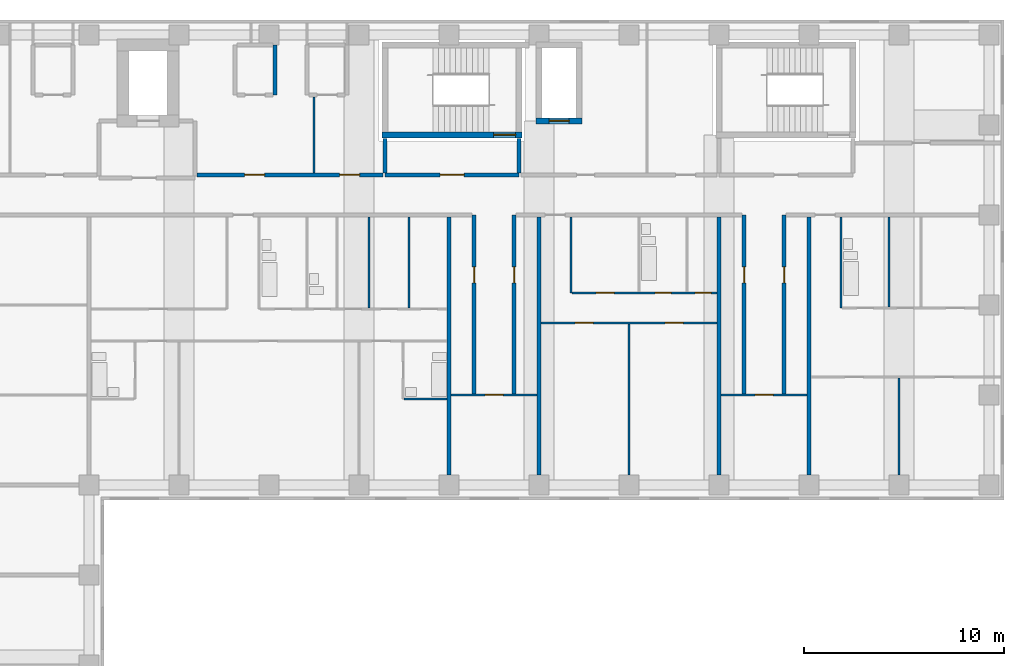
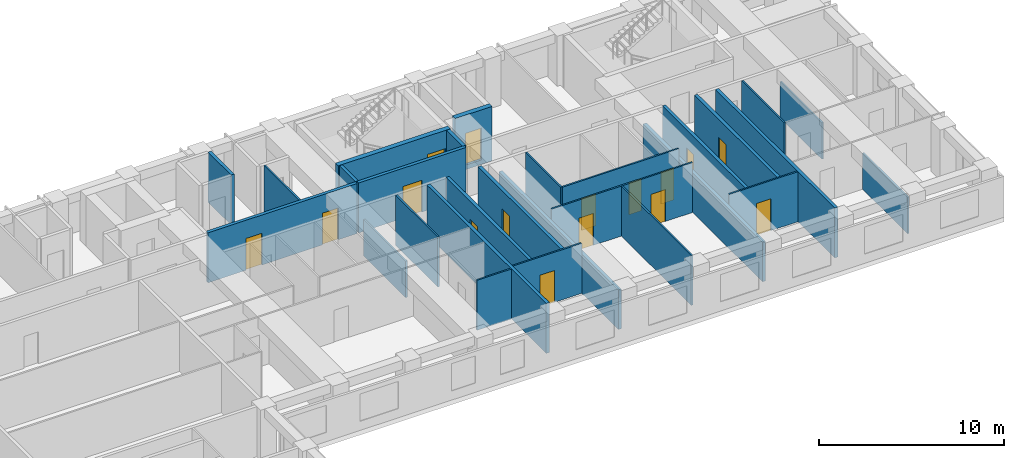
# One storey, part 7 of 12: 28 walls, 16 doors, 16 openings.
"""IFC4 building model written with IfcOpenShell, lengths in metres."""

from ifc_helpers import new_model, si_unit, direction, frame, frame_2d, origin, place, context, subcontext, project, spatial, rectangle, extrude, material, layer, layer_set, type_object, element, fill, save


model = new_model("IFC4")

# Units and contexts
model_context = context("Model", 3, precision=1e-05, world=origin(), true_north=direction((0.0, 1.0)))
body_context = subcontext(model_context, "Body", "Model", "MODEL_VIEW")
ifc_project = project(units=[si_unit("LENGTHUNIT", "METRE"), si_unit("AREAUNIT", "SQUARE_METRE"), si_unit("VOLUMEUNIT", "CUBIC_METRE"), si_unit("PLANEANGLEUNIT", "RADIAN"), si_unit("MASSUNIT", "GRAM", prefix="KILO")], contexts=[model_context])

# Site, building, storey
site_placement = place(None, origin())
site = spatial("IfcSite", under=ifc_project, at=site_placement, CompositionType="ELEMENT")
building_placement = place(site_placement, origin())
building = spatial("IfcBuilding", under=site, at=building_placement, Name="Firuza Court", CompositionType="ELEMENT")
storey_placement = place(building_placement, frame((0.0, 0.0, 166.39990234375)))
storey = spatial("IfcBuildingStorey", under=building, at=storey_placement, Name="L42", CompositionType="ELEMENT", Elevation=166.39990234375)

# Walls
ifc_material_1 = material(Name="Moisture-resistant gypsum board partition")
ifc_layer_1 = layer(ifc_material_1, 0.10009765625)
ifc_layer_set_1 = layer_set([ifc_layer_1], Name="Moisture-resistant gypsum board partition")
wall_type_1 = type_object("IfcWallType", Name="Bathroom partition 100", PredefinedType="PLUMBINGWALL", material=ifc_layer_set_1)
wall_1_placement = place(storey_placement, frame((38.25, 40.300048828125, 0.0), z_axis=(0.0, 0.0, 1.0), x_axis=(1.0, 0.0, 0.0)))
element("IfcWall", 1, at=wall_1_placement, inside=storey, type_object=wall_type_1, Name="Bathroom partition 100 L42", PredefinedType="PLUMBINGWALL", context=body_context, shape_type="SweptSolid", body=[
    extrude(rectangle(XDim=2.14990234375, YDim=0.10009765625, at=frame_2d((1.074951171875, 0.0))), origin(), (0.0, 0.0, 1.0), 3.300048828125),
])
wall_2_placement = place(storey_placement, frame((60.10009765625, 44.85009765625, 0.0), z_axis=(0.0, 0.0, 1.0), x_axis=(0.0, 1.0, 0.0)))
element("IfcWall", 2, at=wall_2_placement, inside=storey, type_object=wall_type_1, Name="Bathroom partition 100 L42", PredefinedType="PLUMBINGWALL", context=body_context, shape_type="SweptSolid", body=[
    extrude(rectangle(XDim=4.5498046875, YDim=0.10009765625, at=frame_2d((2.27490234375, 0.0))), origin(), (0.0, 0.0, 1.0), 3.300048828125),
])
wall_3_placement = place(storey_placement, frame((62.5, 44.89990234375, 0.0), z_axis=(0.0, 0.0, 1.0), x_axis=(0.0, 1.0, 0.0)))
element("IfcWall", 3, at=wall_3_placement, inside=storey, type_object=wall_type_1, Name="Bathroom partition 100 L42", PredefinedType="PLUMBINGWALL", context=body_context, shape_type="SweptSolid", body=[
    extrude(rectangle(XDim=4.5, YDim=0.10009765625, at=frame_2d((2.25, 0.0))), origin(), (0.0, 0.0, 1.0), 2.400146484375),
])

# Wall, opening, door
ifc_material_2 = material(Name="Concrete C60/75", Category="concrete")
ifc_layer_2 = layer(ifc_material_2, 0.300048828125)
ifc_layer_set_2 = layer_set([ifc_layer_2], Name="Concrete C60/75")
wall_type_2 = type_object("IfcWallType", Name="Core wall 300 C60/75", PredefinedType="SHEAR", material=ifc_layer_set_2)
wall_4_placement = place(storey_placement, frame((37.14990234375, 53.5, -0.2998046875), z_axis=(0.0, 0.0, 1.0), x_axis=(1.0, 0.0, 0.0)))
wall_4 = element("IfcWall", 4, at=wall_4_placement, inside=storey, type_object=wall_type_2, Name="Core wall stair L42", PredefinedType="SHEAR", context=body_context, shape_type="SweptSolid", body=[
    extrude(rectangle(XDim=7.0, YDim=0.300048828125, at=frame_2d((3.5, 0.0))), origin(), (0.0, 0.0, 1.0), 3.599853515625),
])
opening_1_placement = place(wall_4_placement, frame((5.580078125, 0.0, 0.300048828125)))
opening_1 = element("IfcOpeningElement", 5, at=opening_1_placement, cuts=wall_4, Name="Opening D42012", PredefinedType="OPENING", context=body_context, shape_type="SweptSolid", body=[
    extrude(rectangle(XDim=1.10009765625, YDim=2.10009765625, at=frame_2d((0.550048828125, 1.050048828125))), frame((0.0, 0.162109375, 0.0), z_axis=(0.0, -1.0, 0.0), x_axis=(1.0, 0.0, 0.0)), (0.0, 0.0, 1.0), 0.323974609375),
])
ifc_material_3 = material(Name="Timber door leaf in hardwood frame", Category="wood")
door_type_1 = type_object("IfcDoorType", Name="Stair door 1100", OperationType="SINGLE_SWING_LEFT", PredefinedType="DOOR", material=ifc_material_3)
door_1_placement = place(opening_1_placement, origin())
door_1 = element("IfcDoor", 6, at=door_1_placement, inside=storey, type_object=door_type_1, Name="Stair door S1", OperationType="SINGLE_SWING_RIGHT", OverallHeight=2.10009765625, OverallWidth=1.10009765625, PredefinedType="DOOR", context=body_context, shape_type="SweptSolid", body=[
    extrude(rectangle(XDim=1.10009765625, YDim=2.10009765625, at=frame_2d((0.550048828125, 1.050048828125))), frame((0.0, 0.02490234375, 0.0), z_axis=(0.0, -1.0, 0.0), x_axis=(1.0, 0.0, 0.0)), (0.0, 0.0, 1.0), 0.050048828125),
])
fill(opening_1, door_1)

wall_5_placement = place(storey_placement, frame((44.85009765625, 54.199951171875, -0.2998046875), z_axis=(0.0, 0.0, 1.0), x_axis=(1.0, 0.0, 0.0)))
wall_5 = element("IfcWall", 7, at=wall_5_placement, inside=storey, type_object=wall_type_2, Name="Core wall riser L42", PredefinedType="SHEAR", context=body_context, shape_type="SweptSolid", body=[
    extrude(rectangle(XDim=2.2998046875, YDim=0.300048828125, at=frame_2d((1.14990234375, 0.0))), origin(), (0.0, 0.0, 1.0), 3.599853515625),
])
opening_2_placement = place(wall_5_placement, frame((0.64990234375, 0.0, 0.300048828125)))
opening_2 = element("IfcOpeningElement", 8, at=opening_2_placement, cuts=wall_5, Name="Opening D42010", PredefinedType="OPENING", context=body_context, shape_type="SweptSolid", body=[
    extrude(rectangle(XDim=1.0, YDim=2.10009765625, at=frame_2d((0.5, 1.050048828125))), frame((0.0, 0.162109375, 0.0), z_axis=(0.0, -1.0, 0.0), x_axis=(1.0, 0.0, 0.0)), (0.0, 0.0, 1.0), 0.323974609375),
])
ifc_material_4 = material(Name="Timber door leaf in hardwood frame", Category="wood")
door_type_2 = type_object("IfcDoorType", Name="Riser door 1000", OperationType="SINGLE_SWING_LEFT", PredefinedType="DOOR", material=ifc_material_4)
door_2_placement = place(opening_2_placement, origin())
door_2 = element("IfcDoor", 9, at=door_2_placement, inside=storey, type_object=door_type_2, Name="Riser door R3", OperationType="SINGLE_SWING_LEFT", OverallHeight=2.10009765625, OverallWidth=1.0, PredefinedType="DOOR", context=body_context, shape_type="SweptSolid", body=[
    extrude(rectangle(XDim=1.0, YDim=2.10009765625, at=frame_2d((0.5, 1.050048828125))), frame((0.0, 0.02490234375, 0.0), z_axis=(0.0, -1.0, 0.0), x_axis=(1.0, 0.0, 0.0)), (0.0, 0.0, 1.0), 0.050048828125),
])
fill(opening_2, door_2)

ifc_material_5 = material(Name="Blockwork, plastered both sides", Category="masonry")
ifc_layer_3 = layer(ifc_material_5, 0.199951171875)
ifc_layer_set_3 = layer_set([ifc_layer_3], Name="Blockwork, plastered both sides")
wall_type_3 = type_object("IfcWallType", Name="Corridor wall 200", PredefinedType="PARTITIONING", material=ifc_layer_set_3)
wall_6_placement = place(storey_placement, frame((41.75, 40.550048828125, 0.0), z_axis=(0.0, 0.0, 1.0), x_axis=(0.0, 1.0, 0.0)))
wall_6 = element("IfcWall", 10, at=wall_6_placement, inside=storey, type_object=wall_type_3, Name="Corridor wall 200 L42", PredefinedType="PARTITIONING", context=body_context, shape_type="SweptSolid", body=[
    extrude(rectangle(XDim=8.949951171875, YDim=0.199951171875, at=frame_2d((4.47509765625, 0.0))), origin(), (0.0, 0.0, 1.0), 3.300048828125),
])
opening_3_placement = place(wall_6_placement, frame((5.550048828125, 0.0, 0.0)))
opening_3 = element("IfcOpeningElement", 11, at=opening_3_placement, cuts=wall_6, Name="Opening D42044", PredefinedType="OPENING", context=body_context, shape_type="SweptSolid", body=[
    extrude(rectangle(XDim=0.800048828125, YDim=2.10009765625, at=frame_2d((0.39990234375, 1.050048828125))), frame((0.0, 0.11181640625, 0.0), z_axis=(0.0, -1.0, 0.0), x_axis=(1.0, 0.0, 0.0)), (0.0, 0.0, 1.0), 0.223876953125),
])
ifc_material_6 = material(Name="Timber door leaf in hardwood frame", Category="wood")
door_type_3 = type_object("IfcDoorType", Name="Room door 800 EI 30", OperationType="SINGLE_SWING_LEFT", PredefinedType="DOOR", material=ifc_material_6)
door_3_placement = place(opening_3_placement, origin())
door_3 = element("IfcDoor", 12, at=door_3_placement, inside=storey, type_object=door_type_3, Name="Store door", OperationType="SINGLE_SWING_RIGHT", OverallHeight=2.10009765625, OverallWidth=0.800048828125, PredefinedType="DOOR", context=body_context, shape_type="SweptSolid", body=[
    extrude(rectangle(XDim=0.800048828125, YDim=2.10009765625, at=frame_2d((0.39990234375, 1.050048828125))), frame((0.0, 0.02490234375, 0.0), z_axis=(0.0, -1.0, 0.0), x_axis=(1.0, 0.0, 0.0)), (0.0, 0.0, 1.0), 0.050048828125),
])
fill(opening_3, door_3)

wall_7_placement = place(storey_placement, frame((43.75, 40.550048828125, 0.0), z_axis=(0.0, 0.0, 1.0), x_axis=(0.0, 1.0, 0.0)))
wall_7 = element("IfcWall", 13, at=wall_7_placement, inside=storey, type_object=wall_type_3, Name="Corridor wall 200 L42", PredefinedType="PARTITIONING", context=body_context, shape_type="SweptSolid", body=[
    extrude(rectangle(XDim=8.949951171875, YDim=0.199951171875, at=frame_2d((4.47509765625, 0.0))), origin(), (0.0, 0.0, 1.0), 3.300048828125),
])
opening_4_placement = place(wall_7_placement, frame((5.550048828125, 0.0, 0.0)))
opening_4 = element("IfcOpeningElement", 14, at=opening_4_placement, cuts=wall_7, Name="Opening D42045", PredefinedType="OPENING", context=body_context, shape_type="SweptSolid", body=[
    extrude(rectangle(XDim=0.800048828125, YDim=2.10009765625, at=frame_2d((0.39990234375, 1.050048828125))), frame((0.0, 0.11181640625, 0.0), z_axis=(0.0, -1.0, 0.0), x_axis=(1.0, 0.0, 0.0)), (0.0, 0.0, 1.0), 0.223876953125),
])
door_4_placement = place(opening_4_placement, frame((0.800048828125, 0.0, 0.0), z_axis=(0.0, 0.0, 1.0), x_axis=(-1.0, 0.0, 0.0)))
door_4 = element("IfcDoor", 15, at=door_4_placement, inside=storey, type_object=door_type_3, Name="Store door", OperationType="SINGLE_SWING_LEFT", OverallHeight=2.10009765625, OverallWidth=0.800048828125, PredefinedType="DOOR", context=body_context, shape_type="SweptSolid", body=[
    extrude(rectangle(XDim=0.800048828125, YDim=2.10009765625, at=frame_2d((0.39990234375, 1.050048828125))), frame((0.0, 0.02490234375, 0.0), z_axis=(0.0, -1.0, 0.0), x_axis=(1.0, 0.0, 0.0)), (0.0, 0.0, 1.0), 0.050048828125),
])
fill(opening_4, door_4)

wall_8_placement = place(storey_placement, frame((55.25, 40.550048828125, 0.0), z_axis=(0.0, 0.0, 1.0), x_axis=(0.0, 1.0, 0.0)))
wall_8 = element("IfcWall", 16, at=wall_8_placement, inside=storey, type_object=wall_type_3, Name="Corridor wall 200 L42", PredefinedType="PARTITIONING", context=body_context, shape_type="SweptSolid", body=[
    extrude(rectangle(XDim=8.949951171875, YDim=0.199951171875, at=frame_2d((4.47509765625, 0.0))), origin(), (0.0, 0.0, 1.0), 3.300048828125),
])
opening_5_placement = place(wall_8_placement, frame((5.550048828125, 0.0, 0.0)))
opening_5 = element("IfcOpeningElement", 17, at=opening_5_placement, cuts=wall_8, Name="Opening D42046", PredefinedType="OPENING", context=body_context, shape_type="SweptSolid", body=[
    extrude(rectangle(XDim=0.800048828125, YDim=2.10009765625, at=frame_2d((0.39990234375, 1.050048828125))), frame((0.0, 0.11181640625, 0.0), z_axis=(0.0, -1.0, 0.0), x_axis=(1.0, 0.0, 0.0)), (0.0, 0.0, 1.0), 0.223876953125),
])
door_5_placement = place(opening_5_placement, origin())
door_5 = element("IfcDoor", 18, at=door_5_placement, inside=storey, type_object=door_type_3, Name="Store door", OperationType="SINGLE_SWING_RIGHT", OverallHeight=2.10009765625, OverallWidth=0.800048828125, PredefinedType="DOOR", context=body_context, shape_type="SweptSolid", body=[
    extrude(rectangle(XDim=0.800048828125, YDim=2.10009765625, at=frame_2d((0.39990234375, 1.050048828125))), frame((0.0, 0.02490234375, 0.0), z_axis=(0.0, -1.0, 0.0), x_axis=(1.0, 0.0, 0.0)), (0.0, 0.0, 1.0), 0.050048828125),
])
fill(opening_5, door_5)

wall_9_placement = place(storey_placement, frame((57.25, 40.550048828125, 0.0), z_axis=(0.0, 0.0, 1.0), x_axis=(0.0, 1.0, 0.0)))
wall_9 = element("IfcWall", 19, at=wall_9_placement, inside=storey, type_object=wall_type_3, Name="Corridor wall 200 L42", PredefinedType="PARTITIONING", context=body_context, shape_type="SweptSolid", body=[
    extrude(rectangle(XDim=8.949951171875, YDim=0.199951171875, at=frame_2d((4.47509765625, 0.0))), origin(), (0.0, 0.0, 1.0), 3.300048828125),
])
opening_6_placement = place(wall_9_placement, frame((5.550048828125, 0.0, 0.0)))
opening_6 = element("IfcOpeningElement", 20, at=opening_6_placement, cuts=wall_9, Name="Opening D42047", PredefinedType="OPENING", context=body_context, shape_type="SweptSolid", body=[
    extrude(rectangle(XDim=0.800048828125, YDim=2.10009765625, at=frame_2d((0.39990234375, 1.050048828125))), frame((0.0, 0.11181640625, 0.0), z_axis=(0.0, -1.0, 0.0), x_axis=(1.0, 0.0, 0.0)), (0.0, 0.0, 1.0), 0.223876953125),
])
door_6_placement = place(opening_6_placement, frame((0.800048828125, 0.0, 0.0), z_axis=(0.0, 0.0, 1.0), x_axis=(-1.0, 0.0, 0.0)))
door_6 = element("IfcDoor", 21, at=door_6_placement, inside=storey, type_object=door_type_3, Name="Store door", OperationType="SINGLE_SWING_LEFT", OverallHeight=2.10009765625, OverallWidth=0.800048828125, PredefinedType="DOOR", context=body_context, shape_type="SweptSolid", body=[
    extrude(rectangle(XDim=0.800048828125, YDim=2.10009765625, at=frame_2d((0.39990234375, 1.050048828125))), frame((0.0, 0.02490234375, 0.0), z_axis=(0.0, -1.0, 0.0), x_axis=(1.0, 0.0, 0.0)), (0.0, 0.0, 1.0), 0.050048828125),
])
fill(opening_6, door_6)

# Wall, openings, doors
wall_10_placement = place(storey_placement, frame((27.89990234375, 51.5, 0.0), z_axis=(0.0, 0.0, 1.0), x_axis=(1.0, 0.0, 0.0)))
wall_10 = element("IfcWall", 22, at=wall_10_placement, inside=storey, type_object=wall_type_3, Name="Corridor wall 200 L42", PredefinedType="PARTITIONING", context=body_context, shape_type="SweptSolid", body=[
    extrude(rectangle(XDim=9.300048828125, YDim=0.199951171875, at=frame_2d((4.64990234375, 0.0))), origin(), (0.0, 0.0, 1.0), 3.300048828125),
])
opening_7_placement = place(wall_10_placement, frame((2.375, 0.0, 0.0)))
opening_7 = element("IfcOpeningElement", 23, at=opening_7_placement, cuts=wall_10, Name="Opening D42073", PredefinedType="OPENING", context=body_context, shape_type="SweptSolid", body=[
    extrude(rectangle(XDim=1.0, YDim=2.10009765625, at=frame_2d((0.5, 1.050048828125))), frame((0.0, 0.11181640625, 0.0), z_axis=(0.0, -1.0, 0.0), x_axis=(1.0, 0.0, 0.0)), (0.0, 0.0, 1.0), 0.223876953125),
])
opening_8_placement = place(wall_10_placement, frame((7.125, 0.0, 0.0)))
opening_8 = element("IfcOpeningElement", 24, at=opening_8_placement, cuts=wall_10, Name="Opening D42074", PredefinedType="OPENING", context=body_context, shape_type="SweptSolid", body=[
    extrude(rectangle(XDim=1.0, YDim=2.10009765625, at=frame_2d((0.5, 1.050048828125))), frame((0.0, 0.11181640625, 0.0), z_axis=(0.0, -1.0, 0.0), x_axis=(1.0, 0.0, 0.0)), (0.0, 0.0, 1.0), 0.223876953125),
])
ifc_material_7 = material(Name="Timber door leaf in hardwood frame", Category="wood")
door_type_4 = type_object("IfcDoorType", Name="Store door 1000", OperationType="SINGLE_SWING_LEFT", PredefinedType="DOOR", material=ifc_material_7)
door_7_placement = place(opening_7_placement, origin())
door_7 = element("IfcDoor", 25, at=door_7_placement, inside=storey, type_object=door_type_4, Name="Comms room door", OperationType="SINGLE_SWING_LEFT", OverallHeight=2.10009765625, OverallWidth=1.0, PredefinedType="DOOR", context=body_context, shape_type="SweptSolid", body=[
    extrude(rectangle(XDim=1.0, YDim=2.10009765625, at=frame_2d((0.5, 1.050048828125))), frame((0.0, 0.02490234375, 0.0), z_axis=(0.0, -1.0, 0.0), x_axis=(1.0, 0.0, 0.0)), (0.0, 0.0, 1.0), 0.050048828125),
])
fill(opening_7, door_7)
door_8_placement = place(opening_8_placement, origin())
door_8 = element("IfcDoor", 26, at=door_8_placement, inside=storey, type_object=door_type_4, Name="Cleaner's store door", OperationType="SINGLE_SWING_LEFT", OverallHeight=2.10009765625, OverallWidth=1.0, PredefinedType="DOOR", context=body_context, shape_type="SweptSolid", body=[
    extrude(rectangle(XDim=1.0, YDim=2.10009765625, at=frame_2d((0.5, 1.050048828125))), frame((0.0, 0.02490234375, 0.0), z_axis=(0.0, -1.0, 0.0), x_axis=(1.0, 0.0, 0.0)), (0.0, 0.0, 1.0), 0.050048828125),
])
fill(opening_8, door_8)

# Walls
ifc_material_8 = material(Name="Timber stud partition, plasterboard both sides", Category="wood")
ifc_layer_4 = layer(ifc_material_8, 0.10009765625)
ifc_layer_set_4 = layer_set([ifc_layer_4], Name="Timber stud partition, plasterboard both sides")
wall_type_4 = type_object("IfcWallType", Name="Partition wall 100", PredefinedType="PARTITIONING", material=ifc_layer_set_4)
wall_11_placement = place(storey_placement, frame((49.5, 36.5, 0.0), z_axis=(0.0, 0.0, 1.0), x_axis=(0.0, 1.0, 0.0)))
element("IfcWall", 27, at=wall_11_placement, inside=storey, type_object=wall_type_4, Name="Partition wall 100 L42", PredefinedType="PARTITIONING", context=body_context, shape_type="SweptSolid", body=[
    extrude(rectangle(XDim=7.550048828125, YDim=0.10009765625, at=frame_2d((3.77490234375, 0.0))), origin(), (0.0, 0.0, 1.0), 3.300048828125),
])
wall_12_placement = place(storey_placement, frame((63.0, 36.5, 0.0), z_axis=(0.0, 0.0, 1.0), x_axis=(0.0, 1.0, 0.0)))
element("IfcWall", 28, at=wall_12_placement, inside=storey, type_object=wall_type_4, Name="Partition wall 100 L42", PredefinedType="PARTITIONING", context=body_context, shape_type="SweptSolid", body=[
    extrude(rectangle(XDim=4.85009765625, YDim=0.10009765625, at=frame_2d((2.425048828125, 0.0))), origin(), (0.0, 0.0, 1.0), 2.400146484375),
])

# Wall, opening, door
wall_13_placement = place(storey_placement, frame((40.60009765625, 40.5, 0.0), z_axis=(0.0, 0.0, 1.0), x_axis=(1.0, 0.0, 0.0)))
wall_13 = element("IfcWall", 29, at=wall_13_placement, inside=storey, type_object=wall_type_4, Name="Partition wall 100 L42", PredefinedType="PARTITIONING", context=body_context, shape_type="SweptSolid", body=[
    extrude(rectangle(XDim=4.2998046875, YDim=0.10009765625, at=frame_2d((2.14990234375, 0.0))), origin(), (0.0, 0.0, 1.0), 3.300048828125),
])
opening_9_placement = place(wall_13_placement, frame((1.699951171875, 0.0, 0.0)))
opening_9 = element("IfcOpeningElement", 30, at=opening_9_placement, cuts=wall_13, Name="Opening D42042", PredefinedType="OPENING", context=body_context, shape_type="SweptSolid", body=[
    extrude(rectangle(XDim=0.89990234375, YDim=2.10009765625, at=frame_2d((0.449951171875, 1.050048828125))), frame((0.0, 0.06201171875, 0.0), z_axis=(0.0, -1.0, 0.0), x_axis=(1.0, 0.0, 0.0)), (0.0, 0.0, 1.0), 0.1240234375),
])
ifc_material_9 = material(Name="Timber door leaf in hardwood frame", Category="wood")
door_type_5 = type_object("IfcDoorType", Name="Room door 900", OperationType="SINGLE_SWING_LEFT", PredefinedType="DOOR", material=ifc_material_9)
door_9_placement = place(opening_9_placement, origin())
door_9 = element("IfcDoor", 31, at=door_9_placement, inside=storey, type_object=door_type_5, Name="Reading lounge door", OperationType="SINGLE_SWING_LEFT", OverallHeight=2.10009765625, OverallWidth=0.89990234375, PredefinedType="DOOR", context=body_context, shape_type="SweptSolid", body=[
    extrude(rectangle(XDim=0.89990234375, YDim=2.10009765625, at=frame_2d((0.449951171875, 1.050048828125))), frame((0.0, 0.02490234375, 0.0), z_axis=(0.0, -1.0, 0.0), x_axis=(1.0, 0.0, 0.0)), (0.0, 0.0, 1.0), 0.050048828125),
])
fill(opening_9, door_9)

wall_14_placement = place(storey_placement, frame((54.10009765625, 40.5, 0.0), z_axis=(0.0, 0.0, 1.0), x_axis=(1.0, 0.0, 0.0)))
wall_14 = element("IfcWall", 32, at=wall_14_placement, inside=storey, type_object=wall_type_4, Name="Partition wall 100 L42", PredefinedType="PARTITIONING", context=body_context, shape_type="SweptSolid", body=[
    extrude(rectangle(XDim=4.2998046875, YDim=0.10009765625, at=frame_2d((2.14990234375, 0.0))), origin(), (0.0, 0.0, 1.0), 3.300048828125),
])
opening_10_placement = place(wall_14_placement, frame((1.699951171875, 0.0, 0.0)))
opening_10 = element("IfcOpeningElement", 33, at=opening_10_placement, cuts=wall_14, Name="Opening D42043", PredefinedType="OPENING", context=body_context, shape_type="SweptSolid", body=[
    extrude(rectangle(XDim=0.89990234375, YDim=2.10009765625, at=frame_2d((0.449951171875, 1.050048828125))), frame((0.0, 0.06201171875, 0.0), z_axis=(0.0, -1.0, 0.0), x_axis=(1.0, 0.0, 0.0)), (0.0, 0.0, 1.0), 0.1240234375),
])
door_10_placement = place(opening_10_placement, origin())
door_10 = element("IfcDoor", 34, at=door_10_placement, inside=storey, type_object=door_type_5, Name="Residents' lounge door", OperationType="SINGLE_SWING_LEFT", OverallHeight=2.10009765625, OverallWidth=0.89990234375, PredefinedType="DOOR", context=body_context, shape_type="SweptSolid", body=[
    extrude(rectangle(XDim=0.89990234375, YDim=2.10009765625, at=frame_2d((0.449951171875, 1.050048828125))), frame((0.0, 0.02490234375, 0.0), z_axis=(0.0, -1.0, 0.0), x_axis=(1.0, 0.0, 0.0)), (0.0, 0.0, 1.0), 0.050048828125),
])
fill(opening_10, door_10)

# Wall, openings, doors
wall_15_placement = place(storey_placement, frame((45.10009765625, 44.10009765625, 0.0), z_axis=(0.0, 0.0, 1.0), x_axis=(1.0, 0.0, 0.0)))
wall_15 = element("IfcWall", 35, at=wall_15_placement, inside=storey, type_object=wall_type_4, Name="Partition wall 100 L42", PredefinedType="PARTITIONING", context=body_context, shape_type="SweptSolid", body=[
    extrude(rectangle(XDim=8.7998046875, YDim=0.10009765625, at=frame_2d((4.39990234375, 0.0))), origin(), (0.0, 0.0, 1.0), 3.300048828125),
])
opening_11_placement = place(wall_15_placement, frame((1.699951171875, 0.0, 0.0)))
opening_11 = element("IfcOpeningElement", 36, at=opening_11_placement, cuts=wall_15, Name="Opening D42053", PredefinedType="OPENING", context=body_context, shape_type="SweptSolid", body=[
    extrude(rectangle(XDim=0.89990234375, YDim=2.10009765625, at=frame_2d((0.449951171875, 1.050048828125))), frame((0.0, 0.06201171875, 0.0), z_axis=(0.0, -1.0, 0.0), x_axis=(1.0, 0.0, 0.0)), (0.0, 0.0, 1.0), 0.1240234375),
])
opening_12_placement = place(wall_15_placement, frame((6.199951171875, 0.0, 0.0)))
opening_12 = element("IfcOpeningElement", 37, at=opening_12_placement, cuts=wall_15, Name="Opening D42054", PredefinedType="OPENING", context=body_context, shape_type="SweptSolid", body=[
    extrude(rectangle(XDim=0.89990234375, YDim=2.10009765625, at=frame_2d((0.449951171875, 1.050048828125))), frame((0.0, 0.06201171875, 0.0), z_axis=(0.0, -1.0, 0.0), x_axis=(1.0, 0.0, 0.0)), (0.0, 0.0, 1.0), 0.1240234375),
])
door_11_placement = place(opening_11_placement, frame((0.89990234375, 0.0, 0.0), z_axis=(0.0, 0.0, 1.0), x_axis=(-1.0, 0.0, 0.0)))
door_11 = element("IfcDoor", 38, at=door_11_placement, inside=storey, type_object=door_type_5, Name="Living room door", OperationType="SINGLE_SWING_RIGHT", OverallHeight=2.10009765625, OverallWidth=0.89990234375, PredefinedType="DOOR", context=body_context, shape_type="SweptSolid", body=[
    extrude(rectangle(XDim=0.89990234375, YDim=2.10009765625, at=frame_2d((0.449951171875, 1.050048828125))), frame((0.0, 0.02490234375, 0.0), z_axis=(0.0, -1.0, 0.0), x_axis=(1.0, 0.0, 0.0)), (0.0, 0.0, 1.0), 0.050048828125),
])
fill(opening_11, door_11)
door_12_placement = place(opening_12_placement, frame((0.89990234375, 0.0, 0.0), z_axis=(0.0, 0.0, 1.0), x_axis=(-1.0, 0.0, 0.0)))
door_12 = element("IfcDoor", 39, at=door_12_placement, inside=storey, type_object=door_type_5, Name="Bedroom door", OperationType="SINGLE_SWING_RIGHT", OverallHeight=2.10009765625, OverallWidth=0.89990234375, PredefinedType="DOOR", context=body_context, shape_type="SweptSolid", body=[
    extrude(rectangle(XDim=0.89990234375, YDim=2.10009765625, at=frame_2d((0.449951171875, 1.050048828125))), frame((0.0, 0.02490234375, 0.0), z_axis=(0.0, -1.0, 0.0), x_axis=(1.0, 0.0, 0.0)), (0.0, 0.0, 1.0), 0.050048828125),
])
fill(opening_12, door_12)

# Walls
wall_16_placement = place(storey_placement, frame((36.5, 44.85009765625, 0.0), z_axis=(0.0, 0.0, 1.0), x_axis=(0.0, 1.0, 0.0)))
element("IfcWall", 40, at=wall_16_placement, inside=storey, type_object=wall_type_4, Name="Partition wall 100 L42", PredefinedType="PARTITIONING", context=body_context, shape_type="SweptSolid", body=[
    extrude(rectangle(XDim=4.5498046875, YDim=0.10009765625, at=frame_2d((2.27490234375, 0.0))), origin(), (0.0, 0.0, 1.0), 2.400146484375),
])
wall_17_placement = place(storey_placement, frame((38.5, 44.85009765625, 0.0), z_axis=(0.0, 0.0, 1.0), x_axis=(0.0, 1.0, 0.0)))
element("IfcWall", 41, at=wall_17_placement, inside=storey, type_object=wall_type_4, Name="Partition wall 100 L42", PredefinedType="PARTITIONING", context=body_context, shape_type="SweptSolid", body=[
    extrude(rectangle(XDim=4.5498046875, YDim=0.10009765625, at=frame_2d((2.27490234375, 0.0))), origin(), (0.0, 0.0, 1.0), 3.300048828125),
])
wall_18_placement = place(storey_placement, frame((46.60009765625, 45.60009765625, 0.0), z_axis=(0.0, 0.0, 1.0), x_axis=(0.0, 1.0, 0.0)))
element("IfcWall", 42, at=wall_18_placement, inside=storey, type_object=wall_type_4, Name="Partition wall 100 L42", PredefinedType="PARTITIONING", context=body_context, shape_type="SweptSolid", body=[
    extrude(rectangle(XDim=3.7998046875, YDim=0.10009765625, at=frame_2d((1.89990234375, 0.0))), origin(), (0.0, 0.0, 1.0), 3.300048828125),
])

# Wall, openings, doors
wall_19_placement = place(storey_placement, frame((46.64990234375, 45.60009765625, 0.0), z_axis=(0.0, 0.0, 1.0), x_axis=(1.0, 0.0, 0.0)))
wall_19 = element("IfcWall", 43, at=wall_19_placement, inside=storey, type_object=wall_type_4, Name="Partition wall 100 L42", PredefinedType="PARTITIONING", context=body_context, shape_type="SweptSolid", body=[
    extrude(rectangle(XDim=7.25, YDim=0.10009765625, at=frame_2d((3.625, 0.0))), origin(), (0.0, 0.0, 1.0), 3.300048828125),
])
opening_13_placement = place(wall_19_placement, frame((4.14990234375, 0.0, 0.0)))
opening_13 = element("IfcOpeningElement", 44, at=opening_13_placement, cuts=wall_19, Name="Opening D42064", PredefinedType="OPENING", context=body_context, shape_type="SweptSolid", body=[
    extrude(rectangle(XDim=0.800048828125, YDim=2.10009765625, at=frame_2d((0.39990234375, 1.050048828125))), frame((0.0, 0.06201171875, 0.0), z_axis=(0.0, -1.0, 0.0), x_axis=(1.0, 0.0, 0.0)), (0.0, 0.0, 1.0), 0.1240234375),
])
opening_14_placement = place(wall_19_placement, frame((1.199951171875, 0.0, 0.0)))
opening_14 = element("IfcOpeningElement", 45, at=opening_14_placement, cuts=wall_19, Name="Opening D42065", PredefinedType="OPENING", context=body_context, shape_type="SweptSolid", body=[
    extrude(rectangle(XDim=0.89990234375, YDim=2.10009765625, at=frame_2d((0.449951171875, 1.050048828125))), frame((0.0, 0.06201171875, 0.0), z_axis=(0.0, -1.0, 0.0), x_axis=(1.0, 0.0, 0.0)), (0.0, 0.0, 1.0), 0.1240234375),
])
opening_15_placement = place(wall_19_placement, frame((6.14990234375, 0.0, 0.0)))
opening_15 = element("IfcOpeningElement", 46, at=opening_15_placement, cuts=wall_19, Name="Opening D42066", PredefinedType="OPENING", context=body_context, shape_type="SweptSolid", body=[
    extrude(rectangle(XDim=0.800048828125, YDim=2.10009765625, at=frame_2d((0.39990234375, 1.050048828125))), frame((0.0, 0.06201171875, 0.0), z_axis=(0.0, -1.0, 0.0), x_axis=(1.0, 0.0, 0.0)), (0.0, 0.0, 1.0), 0.1240234375),
])
ifc_material_10 = material(Name="Timber door leaf in hardwood frame", Category="wood")
door_type_6 = type_object("IfcDoorType", Name="Bathroom door 800", OperationType="SINGLE_SWING_LEFT", PredefinedType="DOOR", material=ifc_material_10)
door_13_placement = place(opening_13_placement, origin())
door_13 = element("IfcDoor", 47, at=door_13_placement, inside=storey, type_object=door_type_6, Name="Bathroom door", OperationType="SINGLE_SWING_LEFT", OverallHeight=2.10009765625, OverallWidth=0.800048828125, PredefinedType="DOOR", context=body_context, shape_type="SweptSolid", body=[
    extrude(rectangle(XDim=0.800048828125, YDim=2.10009765625, at=frame_2d((0.39990234375, 1.050048828125))), frame((0.0, 0.02490234375, 0.0), z_axis=(0.0, -1.0, 0.0), x_axis=(1.0, 0.0, 0.0)), (0.0, 0.0, 1.0), 0.050048828125),
])
fill(opening_13, door_13)
ifc_material_11 = material(Name="Timber door leaf in hardwood frame", Category="wood")
door_type_7 = type_object("IfcDoorType", Name="Room door 800", OperationType="SINGLE_SWING_LEFT", PredefinedType="DOOR", material=ifc_material_11)
door_14_placement = place(opening_15_placement, origin())
door_14 = element("IfcDoor", 48, at=door_14_placement, inside=storey, type_object=door_type_7, Name="Store door", OperationType="SINGLE_SWING_LEFT", OverallHeight=2.10009765625, OverallWidth=0.800048828125, PredefinedType="DOOR", context=body_context, shape_type="SweptSolid", body=[
    extrude(rectangle(XDim=0.800048828125, YDim=2.10009765625, at=frame_2d((0.39990234375, 1.050048828125))), frame((0.0, 0.02490234375, 0.0), z_axis=(0.0, -1.0, 0.0), x_axis=(1.0, 0.0, 0.0)), (0.0, 0.0, 1.0), 0.050048828125),
])
fill(opening_15, door_14)
door_15_placement = place(opening_14_placement, origin())
door_15 = element("IfcDoor", 49, at=door_15_placement, inside=storey, type_object=door_type_5, Name="Kitchen door", OperationType="SINGLE_SWING_LEFT", OverallHeight=2.10009765625, OverallWidth=0.89990234375, PredefinedType="DOOR", context=body_context, shape_type="SweptSolid", body=[
    extrude(rectangle(XDim=0.89990234375, YDim=2.10009765625, at=frame_2d((0.449951171875, 1.050048828125))), frame((0.0, 0.02490234375, 0.0), z_axis=(0.0, -1.0, 0.0), x_axis=(1.0, 0.0, 0.0)), (0.0, 0.0, 1.0), 0.050048828125),
])
fill(opening_14, door_15)

# Walls
wall_20_placement = place(storey_placement, frame((33.75, 51.60009765625, 0.0), z_axis=(0.0, 0.0, 1.0), x_axis=(0.0, 1.0, 0.0)))
element("IfcWall", 50, at=wall_20_placement, inside=storey, type_object=wall_type_4, Name="Partition wall 100 L42", PredefinedType="PARTITIONING", context=body_context, shape_type="SweptSolid", body=[
    extrude(rectangle(XDim=3.7998046875, YDim=0.10009765625, at=frame_2d((1.89990234375, 0.0))), origin(), (0.0, 0.0, 1.0), 3.300048828125),
])
ifc_layer_5 = layer(ifc_material_5, 0.199951171875)
ifc_layer_set_5 = layer_set([ifc_layer_5], Name="Blockwork, plastered both sides")
wall_type_5 = type_object("IfcWallType", Name="Party wall 200", PredefinedType="PARTITIONING", material=ifc_layer_set_5)
wall_21_placement = place(storey_placement, frame((40.5, 36.5, 0.0), z_axis=(0.0, 0.0, 1.0), x_axis=(0.0, 1.0, 0.0)))
element("IfcWall", 51, at=wall_21_placement, inside=storey, type_object=wall_type_5, Name="Party wall 200 L42", PredefinedType="PARTITIONING", context=body_context, shape_type="SweptSolid", body=[
    extrude(rectangle(XDim=12.89990234375, YDim=0.199951171875, at=frame_2d((6.449951171875, 0.0))), origin(), (0.0, 0.0, 1.0), 3.300048828125),
])
for number, where, z_axis, x_axis, name in (
    (52, (45.0, 36.5, 0.0), (0.0, 0.0, 1.0), (0.0, 1.0, 0.0), "Party wall 200 L42"),
    (53, (54.0, 36.5, 0.0), (0.0, 0.0, 1.0), (0.0, 1.0, 0.0), "Party wall 200 L42"),
):
    element("IfcWall", number, at=place(storey_placement, frame(where, z_axis=z_axis, x_axis=x_axis)), inside=storey, type_object=wall_type_5, Name=name, PredefinedType="PARTITIONING", context=body_context, shape_type="SweptSolid", body=[
        extrude(rectangle(XDim=12.89990234375, YDim=0.199951171875, at=frame_2d((6.449951171875, 0.0))), origin(), (0.0, 0.0, 1.0), 2.60009765625),
    ])
wall_22_placement = place(storey_placement, frame((58.5, 36.5, 0.0), z_axis=(0.0, 0.0, 1.0), x_axis=(0.0, 1.0, 0.0)))
element("IfcWall", 54, at=wall_22_placement, inside=storey, type_object=wall_type_5, Name="Party wall 200 L42", PredefinedType="PARTITIONING", context=body_context, shape_type="SweptSolid", body=[
    extrude(rectangle(XDim=12.89990234375, YDim=0.199951171875, at=frame_2d((6.449951171875, 0.0))), origin(), (0.0, 0.0, 1.0), 3.300048828125),
])
ifc_material_12 = material(Name="Blockwork, fire-rated", Category="masonry")
ifc_layer_6 = layer(ifc_material_12, 0.199951171875)
ifc_layer_set_6 = layer_set([ifc_layer_6], Name="Blockwork, fire-rated")
wall_type_6 = type_object("IfcWallType", Name="Plant room wall 200", PredefinedType="PARTITIONING", material=ifc_layer_set_6)
wall_23_placement = place(storey_placement, frame((31.800048828125, 55.5, 0.0), z_axis=(0.0, 0.0, 1.0), x_axis=(0.0, 1.0, 0.0)))
element("IfcWall", 55, at=wall_23_placement, inside=storey, type_object=wall_type_6, Name="Plant room wall 200 L42", PredefinedType="PARTITIONING", context=body_context, shape_type="SweptSolid", body=[
    extrude(rectangle(XDim=2.5, YDim=0.199951171875, at=frame_2d((1.25, 0.0))), origin(), (0.0, 0.0, 1.0), 3.300048828125),
])

# Wall, opening, door
ifc_layer_7 = layer(ifc_material_12, 0.199951171875)
ifc_layer_set_7 = layer_set([ifc_layer_7], Name="Blockwork, fire-rated")
wall_type_7 = type_object("IfcWallType", Name="Shaft wall 200", PredefinedType="PARTITIONING", material=ifc_layer_set_7)
wall_24_placement = place(storey_placement, frame((37.300048828125, 51.5, 0.0), z_axis=(0.0, 0.0, 1.0), x_axis=(1.0, 0.0, 0.0)))
wall_24 = element("IfcWall", 56, at=wall_24_placement, inside=storey, type_object=wall_type_7, Name="Shaft wall 200 L42", PredefinedType="PARTITIONING", context=body_context, shape_type="SweptSolid", body=[
    extrude(rectangle(XDim=6.699951171875, YDim=0.199951171875, at=frame_2d((3.35009765625, 0.0))), origin(), (0.0, 0.0, 1.0), 3.300048828125),
])
opening_16_placement = place(wall_24_placement, frame((2.75, 0.0, 0.0)))
opening_16 = element("IfcOpeningElement", 57, at=opening_16_placement, cuts=wall_24, Name="Opening D42006", PredefinedType="OPENING", context=body_context, shape_type="SweptSolid", body=[
    extrude(rectangle(XDim=1.199951171875, YDim=2.10009765625, at=frame_2d((0.60009765625, 1.050048828125))), frame((0.0, 0.11181640625, 0.0), z_axis=(0.0, -1.0, 0.0), x_axis=(1.0, 0.0, 0.0)), (0.0, 0.0, 1.0), 0.223876953125),
])
ifc_material_13 = material(Name="Timber door leaf in hardwood frame", Category="wood")
door_type_8 = type_object("IfcDoorType", Name="Lobby door 1200", OperationType="SINGLE_SWING_LEFT", PredefinedType="DOOR", material=ifc_material_13)
door_16_placement = place(opening_16_placement, origin())
door_16 = element("IfcDoor", 58, at=door_16_placement, inside=storey, type_object=door_type_8, Name="Lobby door", OperationType="SINGLE_SWING_LEFT", OverallHeight=2.10009765625, OverallWidth=1.199951171875, PredefinedType="DOOR", context=body_context, shape_type="SweptSolid", body=[
    extrude(rectangle(XDim=1.199951171875, YDim=2.10009765625, at=frame_2d((0.60009765625, 1.050048828125))), frame((0.0, 0.02490234375, 0.0), z_axis=(0.0, -1.0, 0.0), x_axis=(1.0, 0.0, 0.0)), (0.0, 0.0, 1.0), 0.050048828125),
])
fill(opening_16, door_16)

# Walls
for number, where, z_axis, x_axis, name in (
    (59, (44.0, 51.60009765625, 0.0), (0.0, 0.0, 1.0), (0.0, 1.0, 0.0), "Shaft wall 200 L42"),
    (60, (37.300048828125, 51.60009765625, 0.0), (0.0, 0.0, 1.0), (0.0, 1.0, 0.0), "Shaft wall 200 L42"),
):
    element("IfcWall", number, at=place(storey_placement, frame(where, z_axis=z_axis, x_axis=x_axis)), inside=storey, type_object=wall_type_7, Name=name, PredefinedType="PARTITIONING", context=body_context, shape_type="SweptSolid", body=[
        extrude(rectangle(XDim=1.72998046875, YDim=0.199951171875, at=frame_2d((0.864990234375, 0.0))), origin(), (0.0, 0.0, 1.0), 3.300048828125),
    ])

save(model, "model.ifc")
